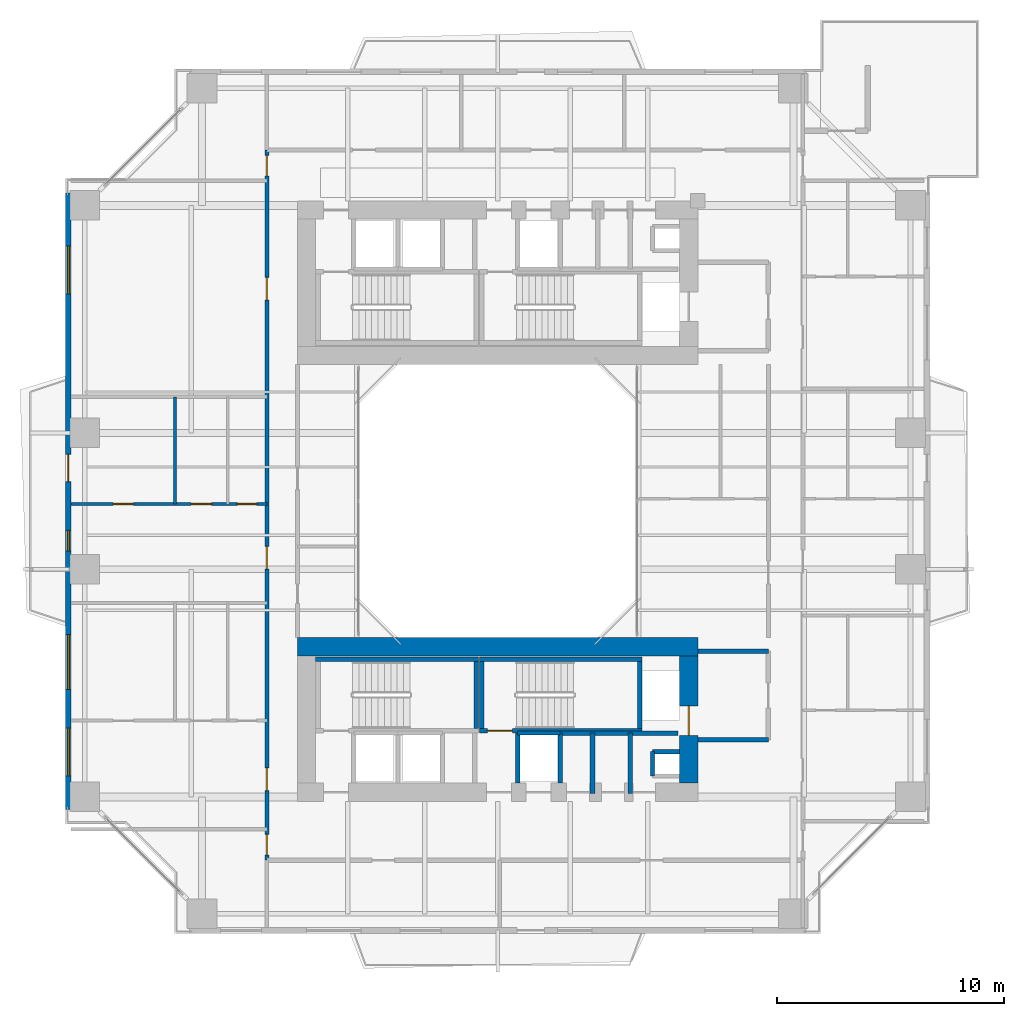
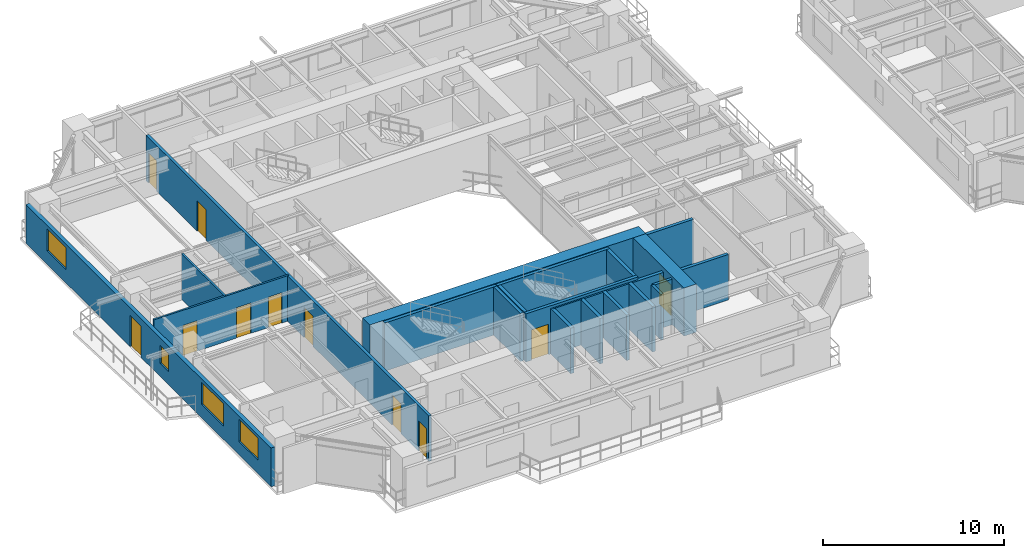
# One storey, part 13 of 23: 22 walls, 11 doors, 4 windows, 15 openings.
"""IFC4 building model written with IfcOpenShell, lengths in metres."""

from ifc_helpers import new_model, si_unit, direction, frame, frame_2d, origin, place, context, subcontext, project, spatial, rectangle, extrude, source, transform, mapped, material, layer, layer_set, type_object, element, fill, save


model = new_model("IFC4")

# Units and contexts
model_context = context("Model", 3, precision=1e-05, world=origin(), true_north=direction((0.0, 1.0)))
body_context = subcontext(model_context, "Body", "Model", "MODEL_VIEW")
ifc_project = project(units=[si_unit("LENGTHUNIT", "METRE"), si_unit("AREAUNIT", "SQUARE_METRE"), si_unit("VOLUMEUNIT", "CUBIC_METRE"), si_unit("PLANEANGLEUNIT", "RADIAN"), si_unit("MASSUNIT", "GRAM", prefix="KILO"), si_unit("THERMODYNAMICTEMPERATUREUNIT", "KELVIN"), si_unit("POWERUNIT", "WATT")], contexts=[model_context])

# Site, building, storey
site_placement = place(None, origin())
site = spatial("IfcSite", under=ifc_project, at=site_placement, CompositionType="ELEMENT")
building_placement = place(site_placement, origin())
building = spatial("IfcBuilding", under=site, at=building_placement, Name="Qiaomeng Ring Towers", CompositionType="ELEMENT")
storey_placement = place(building_placement, frame((0.0, 0.0, 32.75)))
storey = spatial("IfcBuildingStorey", under=building, at=storey_placement, Name="L08", CompositionType="ELEMENT", Elevation=32.75)

# Wall, openings, windows, door
ifc_material_1 = material(Name="Precast concrete C40", Category="concrete")
ifc_layer_1 = layer(ifc_material_1, 0.25, Name="Precast concrete C40")
ifc_layer_set_1 = layer_set([ifc_layer_1], Name="Precast concrete C40")
wall_type_1 = type_object("IfcWallType", Name="ARC-WL-EW1", PredefinedType="STANDARD", material=ifc_layer_set_1)
wall_1_placement = place(storey_placement, frame((0.125, 9.449951171875, 0.0), z_axis=(0.0, 0.0, 1.0), x_axis=(0.0, 1.0, 0.0)))
wall_1 = element("IfcWall", 1, at=wall_1_placement, inside=storey, type_object=wall_type_1, Name="L08 Tower 1 W Exterior Wall", PredefinedType="STANDARD", context=body_context, shape_type="SweptSolid", body=[
    extrude(rectangle(XDim=27.10009765625, YDim=0.25, at=frame_2d((13.550048828125, 0.0))), origin(), (0.0, 0.0, 1.0), 2.610107421875),
])
opening_1_placement = place(wall_1_placement, frame((14.39990234375, 0.0, 0.0)))
opening_1 = element("IfcOpeningElement", 2, at=opening_1_placement, cuts=wall_1, Name="Opening BD1", PredefinedType="OPENING", context=body_context, shape_type="SweptSolid", body=[
    extrude(rectangle(XDim=1.199951171875, YDim=2.10009765625, at=frame_2d((0.60009765625, 1.050048828125))), frame((0.0, 0.135009765625, 0.0), z_axis=(0.0, -1.0, 0.0), x_axis=(1.0, 0.0, 0.0)), (0.0, 0.0, 1.0), 0.27001953125),
])
opening_2_placement = place(wall_1_placement, frame((1.472412109375, 0.0, 0.89990234375)))
opening_2 = element("IfcOpeningElement", 3, at=opening_2_placement, cuts=wall_1, Name="Opening WN4", PredefinedType="OPENING", context=body_context, shape_type="SweptSolid", body=[
    extrude(rectangle(XDim=2.10009765625, YDim=1.5, at=frame_2d((1.050048828125, 0.75))), frame((0.0, 0.135009765625, 0.0), z_axis=(0.0, -1.0, 0.0), x_axis=(1.0, 0.0, 0.0)), (0.0, 0.0, 1.0), 0.27001953125),
])
opening_3_placement = place(wall_1_placement, frame((22.6630859375, 0.0, 0.89990234375)))
opening_3 = element("IfcOpeningElement", 4, at=opening_3_placement, cuts=wall_1, Name="Opening WN4", PredefinedType="OPENING", context=body_context, shape_type="SweptSolid", body=[
    extrude(rectangle(XDim=2.10009765625, YDim=1.47998046875, at=frame_2d((1.050048828125, 0.739990234375))), frame((0.0, 0.135009765625, 0.0), z_axis=(0.0, -1.0, 0.0), x_axis=(1.0, 0.0, 0.0)), (0.0, 0.0, 1.0), 0.27001953125),
])
opening_4_placement = place(wall_1_placement, frame((5.277587890625, 0.0, 0.89990234375)))
opening_4 = element("IfcOpeningElement", 5, at=opening_4_placement, cuts=wall_1, Name="Opening WN6", PredefinedType="OPENING", context=body_context, shape_type="SweptSolid", body=[
    extrude(rectangle(XDim=2.39990234375, YDim=1.5, at=frame_2d((1.199951171875, 0.75))), frame((0.0, 0.135009765625, 0.0), z_axis=(0.0, -1.0, 0.0), x_axis=(1.0, 0.0, 0.0)), (0.0, 0.0, 1.0), 0.27001953125),
])
opening_5_placement = place(wall_1_placement, frame((11.364990234375, 0.0, 0.89990234375)))
opening_5 = element("IfcOpeningElement", 6, at=opening_5_placement, cuts=wall_1, Name="Opening WN5", PredefinedType="OPENING", context=body_context, shape_type="SweptSolid", body=[
    extrude(rectangle(XDim=0.89990234375, YDim=1.199951171875, at=frame_2d((0.449951171875, 0.60009765625))), frame((0.0, 0.135009765625, 0.0), z_axis=(0.0, -1.0, 0.0), x_axis=(1.0, 0.0, 0.0)), (0.0, 0.0, 1.0), 0.27001953125),
])
ifc_material_2 = material(Name="Low-E dark-grey laminated double glazing", Category="glass")
window_type_1 = type_object("IfcWindowType", Name="ARC-WN-4", PartitioningType="TRIPLE_PANEL_VERTICAL", PredefinedType="WINDOW", material=ifc_material_2)
shared_shape_1 = source(origin(), body_context, "Body", "SweptSolid", [
    extrude(rectangle(XDim=2.10009765625, YDim=1.47998046875, at=frame_2d((1.050048828125, 0.739990234375))), frame((0.0, 0.030029296875, 0.0), z_axis=(0.0, -1.0, 0.0), x_axis=(1.0, 0.0, 0.0)), (0.0, 0.0, 1.0), 0.06005859375),
])
window_1_placement = place(opening_3_placement, origin())
window_1 = element("IfcWindow", 7, at=window_1_placement, inside=storey, type_object=window_type_1, Name="L08 Exterior Window WN4", OverallHeight=1.47998046875, OverallWidth=2.10009765625, PartitioningType="TRIPLE_PANEL_VERTICAL", PredefinedType="WINDOW", context=body_context, shape_type="MappedRepresentation", body=[
    mapped(shared_shape_1, transform((0.0, 0.0, 0.0), x_axis=(1.0, 0.0, 0.0), y_axis=(0.0, 1.0, 0.0), z_axis=(0.0, 0.0, 1.0), scale=1.0)),
])
fill(opening_3, window_1)
shared_shape_2 = source(origin(), body_context, "Body", "SweptSolid", [
    extrude(rectangle(XDim=2.10009765625, YDim=1.5, at=frame_2d((1.050048828125, 0.75))), frame((0.0, 0.030029296875, 0.0), z_axis=(0.0, -1.0, 0.0), x_axis=(1.0, 0.0, 0.0)), (0.0, 0.0, 1.0), 0.06005859375),
])
window_2_placement = place(opening_2_placement, origin())
window_2 = element("IfcWindow", 8, at=window_2_placement, inside=storey, type_object=window_type_1, Name="L08 Exterior Window WN6", OverallHeight=1.5, OverallWidth=2.10009765625, PartitioningType="TRIPLE_PANEL_VERTICAL", PredefinedType="WINDOW", context=body_context, shape_type="MappedRepresentation", body=[
    mapped(shared_shape_2, transform((0.0, 0.0, 0.0), x_axis=(1.0, 0.0, 0.0), y_axis=(0.0, 1.0, 0.0), z_axis=(0.0, 0.0, 1.0), scale=1.0)),
])
fill(opening_2, window_2)
door_type_1 = type_object("IfcDoorType", Name="ARC-DR-BD1", OperationType="NOTDEFINED", PredefinedType="DOOR", material=ifc_material_2)
shared_shape_3 = source(origin(), body_context, "Body", "SweptSolid", [
    extrude(rectangle(XDim=1.199951171875, YDim=2.10009765625, at=frame_2d((0.60009765625, 1.050048828125))), frame((0.0, 0.02490234375, 0.0), z_axis=(0.0, -1.0, 0.0), x_axis=(1.0, 0.0, 0.0)), (0.0, 0.0, 1.0), 0.050048828125),
])
door_1_placement = place(opening_1_placement, frame((1.199951171875, 0.0, 0.0), z_axis=(0.0, 0.0, 1.0), x_axis=(-1.0, 0.0, 0.0)))
door_1 = element("IfcDoor", 9, at=door_1_placement, inside=storey, type_object=door_type_1, Name="L08 W Balcony Glazed Door", OperationType="SINGLE_SWING_LEFT", OverallHeight=2.10009765625, OverallWidth=1.199951171875, PredefinedType="DOOR", context=body_context, shape_type="MappedRepresentation", body=[
    mapped(shared_shape_3, transform((0.0, 0.0, 0.0), x_axis=(1.0, 0.0, 0.0), y_axis=(0.0, 1.0, 0.0), z_axis=(0.0, 0.0, 1.0), scale=1.0)),
])
fill(opening_1, door_1)
window_type_2 = type_object("IfcWindowType", Name="ARC-WN-6", PartitioningType="TRIPLE_PANEL_VERTICAL", PredefinedType="WINDOW", material=ifc_material_2)
shared_shape_4 = source(origin(), body_context, "Body", "SweptSolid", [
    extrude(rectangle(XDim=2.39990234375, YDim=1.5, at=frame_2d((1.199951171875, 0.75))), frame((0.0, 0.030029296875, 0.0), z_axis=(0.0, -1.0, 0.0), x_axis=(1.0, 0.0, 0.0)), (0.0, 0.0, 1.0), 0.06005859375),
])
window_3_placement = place(opening_4_placement, origin())
window_3 = element("IfcWindow", 10, at=window_3_placement, inside=storey, type_object=window_type_2, Name="L08 Exterior Window WN6", OverallHeight=1.5, OverallWidth=2.39990234375, PartitioningType="TRIPLE_PANEL_VERTICAL", PredefinedType="WINDOW", context=body_context, shape_type="MappedRepresentation", body=[
    mapped(shared_shape_4, transform((0.0, 0.0, 0.0), x_axis=(1.0, 0.0, 0.0), y_axis=(0.0, 1.0, 0.0), z_axis=(0.0, 0.0, 1.0), scale=1.0)),
])
fill(opening_4, window_3)
window_type_3 = type_object("IfcWindowType", Name="ARC-WN-5", PartitioningType="SINGLE_PANEL", PredefinedType="WINDOW", material=ifc_material_2)
shared_shape_5 = source(origin(), body_context, "Body", "SweptSolid", [
    extrude(rectangle(XDim=0.89990234375, YDim=1.199951171875, at=frame_2d((0.449951171875, 0.60009765625))), frame((0.0, 0.030029296875, 0.0), z_axis=(0.0, -1.0, 0.0), x_axis=(1.0, 0.0, 0.0)), (0.0, 0.0, 1.0), 0.06005859375),
])
window_4_placement = place(opening_5_placement, origin())
window_4 = element("IfcWindow", 11, at=window_4_placement, inside=storey, type_object=window_type_3, Name="L08 Exterior Window WN5", OverallHeight=1.199951171875, OverallWidth=0.89990234375, PartitioningType="SINGLE_PANEL", PredefinedType="WINDOW", context=body_context, shape_type="MappedRepresentation", body=[
    mapped(shared_shape_5, transform((0.0, 0.0, 0.0), x_axis=(1.0, 0.0, 0.0), y_axis=(0.0, 1.0, 0.0), z_axis=(0.0, 0.0, 1.0), scale=1.0)),
])
fill(opening_5, window_4)

# Walls
ifc_material_3 = material(Name="Autoclaved aerated concrete block", Category="concrete")
ifc_layer_2 = layer(ifc_material_3, 0.199951171875, Name="Autoclaved aerated concrete block")
ifc_layer_set_2 = layer_set([ifc_layer_2], Name="Autoclaved aerated concrete block")
wall_type_2 = type_object("IfcWallType", Name="ARC-WL-PW1", PredefinedType="PARTITIONING", material=ifc_layer_set_2)
for number, where, z_axis, x_axis, name in (
    (12, (27.800048828125, 16.39990234375, 0.0), (0.0, 0.0, 1.0), (1.0, 0.0, 0.0), "L08 Interior Wall PW1"),
    (13, (27.800048828125, 12.5, 0.0), (0.0, 0.0, 1.0), (1.0, 0.0, 0.0), "L08 Interior Wall PW1"),
):
    element("IfcWall", number, at=place(storey_placement, frame(where, z_axis=z_axis, x_axis=x_axis)), inside=storey, type_object=wall_type_2, Name=name, PredefinedType="PARTITIONING", context=body_context, shape_type="SweptSolid", body=[
        extrude(rectangle(XDim=3.099853515625, YDim=0.199951171875, at=frame_2d((1.5498046875, 0.0))), origin(), (0.0, 0.0, 1.0), 3.070068359375),
    ])
wall_2_placement = place(storey_placement, frame((19.8798828125, 10.60009765625, 0.0), z_axis=(0.0, 0.0, 1.0), x_axis=(0.0, 1.0, 0.0)))
element("IfcWall", 14, at=wall_2_placement, inside=storey, type_object=wall_type_2, Name="L08 Interior Wall PW1", PredefinedType="PARTITIONING", context=body_context, shape_type="SweptSolid", body=[
    extrude(rectangle(XDim=2.2099609375, YDim=0.199951171875, at=frame_2d((1.10498046875, 0.0))), origin(), (0.0, 0.0, 1.0), 3.070068359375),
])
wall_3_placement = place(storey_placement, frame((24.820068359375, 10.14990234375, 0.0), z_axis=(0.0, 0.0, 1.0), x_axis=(0.0, 1.0, 0.0)))
element("IfcWall", 15, at=wall_3_placement, inside=storey, type_object=wall_type_2, Name="L08 Interior Wall PW1", PredefinedType="PARTITIONING", context=body_context, shape_type="SweptSolid", body=[
    extrude(rectangle(XDim=2.650146484375, YDim=0.199951171875, at=frame_2d((1.3251953125, 0.0))), origin(), (0.0, 0.0, 1.0), 3.070068359375),
])
wall_4_placement = place(storey_placement, frame((21.75, 10.60009765625, 0.0), z_axis=(0.0, 0.0, 1.0), x_axis=(0.0, 1.0, 0.0)))
element("IfcWall", 16, at=wall_4_placement, inside=storey, type_object=wall_type_2, Name="L08 Interior Wall PW1", PredefinedType="PARTITIONING", context=body_context, shape_type="SweptSolid", body=[
    extrude(rectangle(XDim=2.199951171875, YDim=0.199951171875, at=frame_2d((1.10009765625, 0.0))), origin(), (0.0, 0.0, 1.0), 3.070068359375),
])
wall_5_placement = place(storey_placement, frame((23.169921875, 10.14990234375, 0.0), z_axis=(0.0, 0.0, 1.0), x_axis=(0.0, 1.0, 0.0)))
element("IfcWall", 17, at=wall_5_placement, inside=storey, type_object=wall_type_2, Name="L08 Interior Wall PW1", PredefinedType="PARTITIONING", context=body_context, shape_type="SweptSolid", body=[
    extrude(rectangle(XDim=2.650146484375, YDim=0.199951171875, at=frame_2d((1.3251953125, 0.0))), origin(), (0.0, 0.0, 1.0), 3.070068359375),
])
wall_6_placement = place(storey_placement, frame((21.75, 12.800048828125, 0.0), z_axis=(0.0, 0.0, 1.0), x_axis=(1.0, 0.0, 0.0)))
element("IfcWall", 18, at=wall_6_placement, inside=storey, type_object=wall_type_2, Name="L08 Interior Wall PW1", PredefinedType="PARTITIONING", context=body_context, shape_type="SweptSolid", body=[
    extrude(rectangle(XDim=5.169921875, YDim=0.199951171875, at=frame_2d((2.5849609375, 0.0))), origin(), (0.0, 0.0, 1.0), 3.070068359375),
])

# Wall, openings, doors
ifc_layer_3 = layer(ifc_material_3, 0.179931640625, Name="Autoclaved aerated concrete block")
ifc_layer_set_3 = layer_set([ifc_layer_3], Name="Autoclaved aerated concrete block")
wall_type_3 = type_object("IfcWallType", Name="ARC-WL-PW2", PredefinedType="PARTITIONING", material=ifc_layer_set_3)
wall_7_placement = place(storey_placement, frame((8.85009765625, 7.2099609375, 0.0), z_axis=(0.0, 0.0, 1.0), x_axis=(0.0, 1.0, 0.0)))
wall_7 = element("IfcWall", 19, at=wall_7_placement, inside=storey, type_object=wall_type_3, Name="L08 Interior Wall PW2", PredefinedType="PARTITIONING", context=body_context, shape_type="SweptSolid", body=[
    extrude(rectangle(XDim=31.22998046875, YDim=0.179931640625, at=frame_2d((15.614990234375, 0.0))), origin(), (0.0, 0.0, 1.0), 3.070068359375),
])
opening_6_placement = place(wall_7_placement, frame((30.090087890625, 0.0, 0.0)))
opening_6 = element("IfcOpeningElement", 20, at=opening_6_placement, cuts=wall_7, Name="Opening ID1", PredefinedType="OPENING", context=body_context, shape_type="SweptSolid", body=[
    extrude(rectangle(XDim=0.89990234375, YDim=2.050048828125, at=frame_2d((0.449951171875, 1.02490234375))), frame((0.0, 0.099853515625, 0.0), z_axis=(0.0, -1.0, 0.0), x_axis=(1.0, 0.0, 0.0)), (0.0, 0.0, 1.0), 0.199951171875),
])
opening_7_placement = place(wall_7_placement, frame((0.239990234375, 0.0, 0.0)))
opening_7 = element("IfcOpeningElement", 21, at=opening_7_placement, cuts=wall_7, Name="Opening ID1", PredefinedType="OPENING", context=body_context, shape_type="SweptSolid", body=[
    extrude(rectangle(XDim=0.89990234375, YDim=2.050048828125, at=frame_2d((0.449951171875, 1.02490234375))), frame((0.0, 0.099853515625, 0.0), z_axis=(0.0, -1.0, 0.0), x_axis=(1.0, 0.0, 0.0)), (0.0, 0.0, 1.0), 0.199951171875),
])
opening_8_placement = place(wall_7_placement, frame((3.06005859375, 0.0, 0.0)))
opening_8 = element("IfcOpeningElement", 22, at=opening_8_placement, cuts=wall_7, Name="Opening FD4", PredefinedType="OPENING", context=body_context, shape_type="SweptSolid", body=[
    extrude(rectangle(XDim=1.0, YDim=2.050048828125, at=frame_2d((0.5, 1.02490234375))), frame((0.0, 0.099853515625, 0.0), z_axis=(0.0, -1.0, 0.0), x_axis=(1.0, 0.0, 0.0)), (0.0, 0.0, 1.0), 0.199951171875),
])
opening_9_placement = place(wall_7_placement, frame((12.794921875, 0.0, 0.0)))
opening_9 = element("IfcOpeningElement", 23, at=opening_9_placement, cuts=wall_7, Name="Opening FD4", PredefinedType="OPENING", context=body_context, shape_type="SweptSolid", body=[
    extrude(rectangle(XDim=1.0, YDim=2.050048828125, at=frame_2d((0.5, 1.02490234375))), frame((0.0, 0.099853515625, 0.0), z_axis=(0.0, -1.0, 0.0), x_axis=(1.0, 0.0, 0.0)), (0.0, 0.0, 1.0), 0.199951171875),
])
opening_10_placement = place(wall_7_placement, frame((24.6201171875, 0.0, 0.0)))
opening_10 = element("IfcOpeningElement", 24, at=opening_10_placement, cuts=wall_7, Name="Opening FD4", PredefinedType="OPENING", context=body_context, shape_type="SweptSolid", body=[
    extrude(rectangle(XDim=1.0, YDim=2.050048828125, at=frame_2d((0.5, 1.02490234375))), frame((0.0, 0.099853515625, 0.0), z_axis=(0.0, -1.0, 0.0), x_axis=(1.0, 0.0, 0.0)), (0.0, 0.0, 1.0), 0.199951171875),
])
ifc_material_4 = material(Name="Engineered fire-rated oak timber", Category="wood")
door_type_2 = type_object("IfcDoorType", Name="ARC-DR-FD4", OperationType="NOTDEFINED", PredefinedType="DOOR", material=ifc_material_4)
shared_shape_6 = source(origin(), body_context, "Body", "SweptSolid", [
    extrude(rectangle(XDim=1.0, YDim=2.050048828125, at=frame_2d((0.5, 1.02490234375))), frame((0.0, 0.02490234375, 0.0), z_axis=(0.0, -1.0, 0.0), x_axis=(1.0, 0.0, 0.0)), (0.0, 0.0, 1.0), 0.050048828125),
])
door_2_placement = place(opening_8_placement, origin())
door_2 = element("IfcDoor", 25, at=door_2_placement, inside=storey, type_object=door_type_2, Name="L08 Door FD4", OperationType="SINGLE_SWING_RIGHT", OverallHeight=2.050048828125, OverallWidth=1.0, PredefinedType="DOOR", context=body_context, shape_type="MappedRepresentation", body=[
    mapped(shared_shape_6, transform((0.0, 0.0, 0.0), x_axis=(1.0, 0.0, 0.0), y_axis=(0.0, 1.0, 0.0), z_axis=(0.0, 0.0, 1.0), scale=1.0)),
])
fill(opening_8, door_2)
door_3_placement = place(opening_9_placement, origin())
door_3 = element("IfcDoor", 26, at=door_3_placement, inside=storey, type_object=door_type_2, Name="L08 Door FD4", OperationType="SINGLE_SWING_RIGHT", OverallHeight=2.050048828125, OverallWidth=1.0, PredefinedType="DOOR", context=body_context, shape_type="MappedRepresentation", body=[
    mapped(shared_shape_6, transform((0.0, 0.0, 0.0), x_axis=(1.0, 0.0, 0.0), y_axis=(0.0, 1.0, 0.0), z_axis=(0.0, 0.0, 1.0), scale=1.0)),
])
fill(opening_9, door_3)
door_4_placement = place(opening_10_placement, origin())
door_4 = element("IfcDoor", 27, at=door_4_placement, inside=storey, type_object=door_type_2, Name="L08 Door FD4", OperationType="SINGLE_SWING_LEFT", OverallHeight=2.050048828125, OverallWidth=1.0, PredefinedType="DOOR", context=body_context, shape_type="MappedRepresentation", body=[
    mapped(shared_shape_6, transform((0.0, 0.0, 0.0), x_axis=(1.0, 0.0, 0.0), y_axis=(0.0, 1.0, 0.0), z_axis=(0.0, 0.0, 1.0), scale=1.0)),
])
fill(opening_10, door_4)
ifc_material_5 = material(Name="Engineered oak timber", Category="wood")
door_type_3 = type_object("IfcDoorType", Name="ARC-DR-ID1", OperationType="NOTDEFINED", PredefinedType="DOOR", material=ifc_material_5)
shared_shape_7 = source(origin(), body_context, "Body", "SweptSolid", [
    extrude(rectangle(XDim=0.89990234375, YDim=2.050048828125, at=frame_2d((0.449951171875, 1.02490234375))), frame((0.0, 0.02490234375, 0.0), z_axis=(0.0, -1.0, 0.0), x_axis=(1.0, 0.0, 0.0)), (0.0, 0.0, 1.0), 0.050048828125),
])
door_5_placement = place(opening_6_placement, origin())
door_5 = element("IfcDoor", 28, at=door_5_placement, inside=storey, type_object=door_type_3, Name="L08 Door ID1", OperationType="SINGLE_SWING_LEFT", OverallHeight=2.050048828125, OverallWidth=0.89990234375, PredefinedType="DOOR", context=body_context, shape_type="MappedRepresentation", body=[
    mapped(shared_shape_7, transform((0.0, 0.0, 0.0), x_axis=(1.0, 0.0, 0.0), y_axis=(0.0, 1.0, 0.0), z_axis=(0.0, 0.0, 1.0), scale=1.0)),
])
fill(opening_6, door_5)
door_6_placement = place(opening_7_placement, origin())
door_6 = element("IfcDoor", 29, at=door_6_placement, inside=storey, type_object=door_type_3, Name="L08 Door ID1", OperationType="SINGLE_SWING_RIGHT", OverallHeight=2.050048828125, OverallWidth=0.89990234375, PredefinedType="DOOR", context=body_context, shape_type="MappedRepresentation", body=[
    mapped(shared_shape_7, transform((0.0, 0.0, 0.0), x_axis=(1.0, 0.0, 0.0), y_axis=(0.0, 1.0, 0.0), z_axis=(0.0, 0.0, 1.0), scale=1.0)),
])
fill(opening_7, door_6)

ifc_material_6 = material(Name="Moisture-resistant gypsum steel-stud partition", Category="steel")
ifc_layer_4 = layer(ifc_material_6, 0.1201171875, Name="Moisture-resistant gypsum steel-stud partition")
ifc_layer_set_4 = layer_set([ifc_layer_4], Name="Moisture-resistant gypsum steel-stud partition")
wall_type_4 = type_object("IfcWallType", Name="ARC-WL-PW4", PredefinedType="PLUMBINGWALL", material=ifc_layer_set_4)
wall_8_placement = place(storey_placement, frame((0.25, 22.8701171875, 0.0), z_axis=(0.0, 0.0, 1.0), x_axis=(1.0, 0.0, 0.0)))
wall_8 = element("IfcWall", 30, at=wall_8_placement, inside=storey, type_object=wall_type_4, Name="L08 Interior Wall PW4", PredefinedType="PLUMBINGWALL", context=body_context, shape_type="SweptSolid", body=[
    extrude(rectangle(XDim=8.60009765625, YDim=0.1201171875, at=frame_2d((4.300048828125, 0.0))), origin(), (0.0, 0.0, 1.0), 3.070068359375),
])
opening_11_placement = place(wall_8_placement, frame((1.840087890625, 0.0, 0.0)))
opening_11 = element("IfcOpeningElement", 31, at=opening_11_placement, cuts=wall_8, Name="Opening ID1", PredefinedType="OPENING", context=body_context, shape_type="SweptSolid", body=[
    extrude(rectangle(XDim=0.89990234375, YDim=2.050048828125, at=frame_2d((0.449951171875, 1.02490234375))), frame((0.0, 0.070068359375, 0.0), z_axis=(0.0, -1.0, 0.0), x_axis=(1.0, 0.0, 0.0)), (0.0, 0.0, 1.0), 0.14013671875),
])
opening_12_placement = place(wall_8_placement, frame((5.27001953125, 0.0, 0.0)))
opening_12 = element("IfcOpeningElement", 32, at=opening_12_placement, cuts=wall_8, Name="Opening ID1", PredefinedType="OPENING", context=body_context, shape_type="SweptSolid", body=[
    extrude(rectangle(XDim=0.89990234375, YDim=2.050048828125, at=frame_2d((0.449951171875, 1.02490234375))), frame((0.0, 0.070068359375, 0.0), z_axis=(0.0, -1.0, 0.0), x_axis=(1.0, 0.0, 0.0)), (0.0, 0.0, 1.0), 0.14013671875),
])
opening_13_placement = place(wall_8_placement, frame((7.304931640625, 0.0, 0.0)))
opening_13 = element("IfcOpeningElement", 33, at=opening_13_placement, cuts=wall_8, Name="Opening ID2", PredefinedType="OPENING", context=body_context, shape_type="SweptSolid", body=[
    extrude(rectangle(XDim=0.85009765625, YDim=2.050048828125, at=frame_2d((0.425048828125, 1.02490234375))), frame((0.0, 0.070068359375, 0.0), z_axis=(0.0, -1.0, 0.0), x_axis=(1.0, 0.0, 0.0)), (0.0, 0.0, 1.0), 0.14013671875),
])
ifc_material_7 = material(Name="Moisture-resistant engineered timber", Category="wood")
door_type_4 = type_object("IfcDoorType", Name="ARC-DR-ID2", OperationType="NOTDEFINED", PredefinedType="DOOR", material=ifc_material_7)
shared_shape_8 = source(origin(), body_context, "Body", "SweptSolid", [
    extrude(rectangle(XDim=0.85009765625, YDim=2.050048828125, at=frame_2d((0.425048828125, 1.02490234375))), frame((0.0, 0.02490234375, 0.0), z_axis=(0.0, -1.0, 0.0), x_axis=(1.0, 0.0, 0.0)), (0.0, 0.0, 1.0), 0.050048828125),
])
door_7_placement = place(opening_13_placement, origin())
door_7 = element("IfcDoor", 34, at=door_7_placement, inside=storey, type_object=door_type_4, Name="L08 Door ID2", OperationType="SINGLE_SWING_LEFT", OverallHeight=2.050048828125, OverallWidth=0.85009765625, PredefinedType="DOOR", context=body_context, shape_type="MappedRepresentation", body=[
    mapped(shared_shape_8, transform((0.0, 0.0, 0.0), x_axis=(1.0, 0.0, 0.0), y_axis=(0.0, 1.0, 0.0), z_axis=(0.0, 0.0, 1.0), scale=1.0)),
])
fill(opening_13, door_7)
door_8_placement = place(opening_11_placement, origin())
door_8 = element("IfcDoor", 35, at=door_8_placement, inside=storey, type_object=door_type_3, Name="L08 Door ID1", OperationType="SINGLE_SWING_LEFT", OverallHeight=2.050048828125, OverallWidth=0.89990234375, PredefinedType="DOOR", context=body_context, shape_type="MappedRepresentation", body=[
    mapped(shared_shape_7, transform((0.0, 0.0, 0.0), x_axis=(1.0, 0.0, 0.0), y_axis=(0.0, 1.0, 0.0), z_axis=(0.0, 0.0, 1.0), scale=1.0)),
])
fill(opening_11, door_8)
door_9_placement = place(opening_12_placement, origin())
door_9 = element("IfcDoor", 36, at=door_9_placement, inside=storey, type_object=door_type_3, Name="L08 Door ID1", OperationType="SINGLE_SWING_RIGHT", OverallHeight=2.050048828125, OverallWidth=0.89990234375, PredefinedType="DOOR", context=body_context, shape_type="MappedRepresentation", body=[
    mapped(shared_shape_7, transform((0.0, 0.0, 0.0), x_axis=(1.0, 0.0, 0.0), y_axis=(0.0, 1.0, 0.0), z_axis=(0.0, 0.0, 1.0), scale=1.0)),
])
fill(opening_12, door_9)

# Walls
wall_9_placement = place(storey_placement, frame((4.81005859375, 22.8701171875, 0.0), z_axis=(0.0, 0.0, 1.0), x_axis=(0.0, 1.0, 0.0)))
element("IfcWall", 37, at=wall_9_placement, inside=storey, type_object=wall_type_4, Name="L08 Interior Wall PW4", PredefinedType="PLUMBINGWALL", context=body_context, shape_type="SweptSolid", body=[
    extrude(rectangle(XDim=4.7099609375, YDim=0.1201171875, at=frame_2d((2.35498046875, 0.0))), origin(), (0.0, 0.0, 1.0), 3.070068359375),
])
ifc_material_8 = material(Name="Concrete C40", Category="concrete")
ifc_layer_5 = layer(ifc_material_8, 0.199951171875, Name="Concrete C40")
ifc_layer_set_5 = layer_set([ifc_layer_5], Name="Concrete C40")
wall_type_5 = type_object("IfcWallType", Name="STR-WL-STSHAFT", PredefinedType="SHEAR", material=ifc_layer_set_5)
wall_10_placement = place(storey_placement, frame((25.800048828125, 10.919921875, 0.0), z_axis=(0.0, 0.0, 1.0), x_axis=(0.0, 1.0, 0.0)))
element("IfcWall", 38, at=wall_10_placement, inside=storey, type_object=wall_type_5, Name="L08 Riser RSR1 West Shaft Wall S", PredefinedType="SHEAR", context=body_context, shape_type="SweptSolid", body=[
    extrude(rectangle(XDim=1.06005859375, YDim=0.179931640625, at=frame_2d((0.530029296875, 0.0))), origin(), (0.0, 0.0, 1.0), 3.070068359375),
])
wall_11_placement = place(storey_placement, frame((25.800048828125, 11.97998046875, 0.0), z_axis=(0.0, 0.0, 1.0), x_axis=(1.0, 0.0, 0.0)))
element("IfcWall", 39, at=wall_11_placement, inside=storey, type_object=wall_type_5, Name="L08 Riser RSR1 North Shaft Wall S", PredefinedType="SHEAR", context=body_context, shape_type="SweptSolid", body=[
    extrude(rectangle(XDim=1.199951171875, YDim=0.179931640625, at=frame_2d((0.60009765625, 0.0))), origin(), (0.0, 0.0, 1.0), 3.070068359375),
])
wall_12_placement = place(storey_placement, frame((19.8798828125, 12.800048828125, 0.0), z_axis=(0.0, 0.0, 1.0), x_axis=(1.0, 0.0, 0.0)))
element("IfcWall", 40, at=wall_12_placement, inside=storey, type_object=wall_type_5, Name="L08 Lift LP2 Shaft Back Wall", PredefinedType="SHEAR", context=body_context, shape_type="SweptSolid", body=[
    extrude(rectangle(XDim=1.8701171875, YDim=0.179931640625, at=frame_2d((0.93505859375, 0.0))), origin(), (0.0, 0.0, 1.0), 3.070068359375),
])
wall_13_placement = place(storey_placement, frame((11.0, 16.050048828125, 0.0), z_axis=(0.0, 0.0, 1.0), x_axis=(1.0, 0.0, 0.0)))
element("IfcWall", 41, at=wall_13_placement, inside=storey, type_object=wall_type_5, Name="L08 Stair ST3 North Shaft Shear Wall", PredefinedType="SHEAR", context=body_context, shape_type="SweptSolid", body=[
    extrude(rectangle(XDim=7.14990234375, YDim=0.199951171875, at=frame_2d((3.574951171875, 0.0))), origin(), (0.0, 0.0, 1.0), 3.25),
])
wall_14_placement = place(storey_placement, frame((18.050048828125, 13.010009765625, 0.0), z_axis=(0.0, 0.0, 1.0), x_axis=(0.0, 1.0, 0.0)))
element("IfcWall", 42, at=wall_14_placement, inside=storey, type_object=wall_type_5, Name="L08 Stair ST3 East Shaft Shear Wall", PredefinedType="SHEAR", context=body_context, shape_type="SweptSolid", body=[
    extrude(rectangle(XDim=2.93994140625, YDim=0.199951171875, at=frame_2d((1.469970703125, 0.0))), origin(), (0.0, 0.0, 1.0), 3.25),
])

# Wall, opening, door
wall_15_placement = place(storey_placement, frame((18.199951171875, 12.909912109375, 0.0), z_axis=(0.0, 0.0, 1.0), x_axis=(1.0, 0.0, 0.0)))
wall_15 = element("IfcWall", 43, at=wall_15_placement, inside=storey, type_object=wall_type_5, Name="L08 Stair ST4 South Shaft Shear Wall", PredefinedType="SHEAR", context=body_context, shape_type="SweptSolid", body=[
    extrude(rectangle(XDim=7.150146484375, YDim=0.199951171875, at=frame_2d((3.5751953125, 0.0))), origin(), (0.0, 0.0, 1.0), 3.25),
])
opening_14_placement = place(wall_15_placement, frame((0.35009765625, 0.0, 0.0)))
opening_14 = element("IfcOpeningElement", 44, at=opening_14_placement, cuts=wall_15, Name="Opening FD3", PredefinedType="OPENING", context=body_context, shape_type="SweptSolid", body=[
    extrude(rectangle(XDim=1.10009765625, YDim=2.050048828125, at=frame_2d((0.550048828125, 1.02490234375))), frame((0.0, 0.10986328125, 0.0), z_axis=(0.0, -1.0, 0.0), x_axis=(1.0, 0.0, 0.0)), (0.0, 0.0, 1.0), 0.219970703125),
])
ifc_material_9 = material(Name="Galvanised steel", Category="steel")
door_type_5 = type_object("IfcDoorType", Name="ARC-DR-FD3", OperationType="NOTDEFINED", PredefinedType="DOOR", material=ifc_material_9)
shared_shape_9 = source(origin(), body_context, "Body", "SweptSolid", [
    extrude(rectangle(XDim=1.10009765625, YDim=2.050048828125, at=frame_2d((0.550048828125, 1.02490234375))), frame((0.0, 0.02490234375, 0.0), z_axis=(0.0, -1.0, 0.0), x_axis=(1.0, 0.0, 0.0)), (0.0, 0.0, 1.0), 0.050048828125),
])
door_10_placement = place(opening_14_placement, frame((1.10009765625, 0.0, 0.0), z_axis=(0.0, 0.0, 1.0), x_axis=(-1.0, 0.0, 0.0)))
door_10 = element("IfcDoor", 45, at=door_10_placement, inside=storey, type_object=door_type_5, Name="L08 Stair ST4 Exit Door", OperationType="SINGLE_SWING_LEFT", OverallHeight=2.050048828125, OverallWidth=1.10009765625, PredefinedType="DOOR", context=body_context, shape_type="MappedRepresentation", body=[
    mapped(shared_shape_9, transform((0.0, 0.0, 0.0), x_axis=(1.0, 0.0, 0.0), y_axis=(0.0, 1.0, 0.0), z_axis=(0.0, 0.0, 1.0), scale=1.0)),
])
fill(opening_14, door_10)

# Walls
wall_16_placement = place(storey_placement, frame((18.199951171875, 16.050048828125, 0.0), z_axis=(0.0, 0.0, 1.0), x_axis=(1.0, 0.0, 0.0)))
element("IfcWall", 46, at=wall_16_placement, inside=storey, type_object=wall_type_5, Name="L08 Stair ST4 North Shaft Shear Wall", PredefinedType="SHEAR", context=body_context, shape_type="SweptSolid", body=[
    extrude(rectangle(XDim=7.150146484375, YDim=0.199951171875, at=frame_2d((3.5751953125, 0.0))), origin(), (0.0, 0.0, 1.0), 3.25),
])
for number, where, z_axis, x_axis, name in (
    (47, (18.300048828125, 13.010009765625, 0.0), (0.0, 0.0, 1.0), (0.0, 1.0, 0.0), "L08 Stair ST4 West Shaft Shear Wall"),
    (48, (25.25, 13.010009765625, 0.0), (0.0, 0.0, 1.0), (0.0, 1.0, 0.0), "L08 Stair ST4 East Shaft Shear Wall"),
):
    element("IfcWall", number, at=place(storey_placement, frame(where, z_axis=z_axis, x_axis=x_axis)), inside=storey, type_object=wall_type_5, Name=name, PredefinedType="SHEAR", context=body_context, shape_type="SweptSolid", body=[
        extrude(rectangle(XDim=2.93994140625, YDim=0.199951171875, at=frame_2d((1.469970703125, 0.0))), origin(), (0.0, 0.0, 1.0), 3.25),
    ])
ifc_material_10 = material(Name="Concrete C60", Category="concrete")
ifc_layer_6 = layer(ifc_material_10, 0.800048828125, Name="Concrete C60")
ifc_layer_set_6 = layer_set([ifc_layer_6], Name="Concrete C60")
wall_type_6 = type_object("IfcWallType", Name="STR-WL-SW1", PredefinedType="SHEAR", material=ifc_layer_set_6)
wall_17_placement = place(storey_placement, frame((10.199951171875, 16.60009765625, 0.0), z_axis=(0.0, 0.0, 1.0), x_axis=(1.0, 0.0, 0.0)))
element("IfcWall", 49, at=wall_17_placement, inside=storey, type_object=wall_type_6, Name="L08 T1SC north core shear wall", PredefinedType="SHEAR", context=body_context, shape_type="SweptSolid", body=[
    extrude(rectangle(XDim=17.60009765625, YDim=0.800048828125, at=frame_2d((8.800048828125, 0.0))), origin(), (0.0, 0.0, 1.0), 3.25),
])

# Wall, opening, door
wall_18_placement = place(storey_placement, frame((27.39990234375, 10.60009765625, 0.0), z_axis=(0.0, 0.0, 1.0), x_axis=(0.0, 1.0, 0.0)))
wall_18 = element("IfcWall", 50, at=wall_18_placement, inside=storey, type_object=wall_type_6, Name="L08 T1SC east core shear wall", PredefinedType="SHEAR", context=body_context, shape_type="SweptSolid", body=[
    extrude(rectangle(XDim=5.599853515625, YDim=0.800048828125, at=frame_2d((2.7998046875, 0.0))), origin(), (0.0, 0.0, 1.0), 3.25),
])
opening_15_placement = place(wall_18_placement, frame((2.10009765625, 0.0, 0.0)))
opening_15 = element("IfcOpeningElement", 51, at=opening_15_placement, cuts=wall_18, Name="Opening LD2", PredefinedType="OPENING", context=body_context, shape_type="SweptSolid", body=[
    extrude(rectangle(XDim=1.300048828125, YDim=2.050048828125, at=frame_2d((0.64990234375, 1.02490234375))), frame((0.0, 0.409912109375, 0.0), z_axis=(0.0, -1.0, 0.0), x_axis=(1.0, 0.0, 0.0)), (0.0, 0.0, 1.0), 0.820068359375),
])
ifc_material_11 = material(Name="Stainless steel 316", Category="steel")
door_type_6 = type_object("IfcDoorType", Name="ARC-DR-LD2", OperationType="NOTDEFINED", PredefinedType="DOOR", material=ifc_material_11)
shared_shape_10 = source(origin(), body_context, "Body", "SweptSolid", [
    extrude(rectangle(XDim=1.300048828125, YDim=2.050048828125, at=frame_2d((0.64990234375, 1.02490234375))), frame((0.0, 0.02490234375, 0.0), z_axis=(0.0, -1.0, 0.0), x_axis=(1.0, 0.0, 0.0)), (0.0, 0.0, 1.0), 0.050048828125),
])
door_11_placement = place(opening_15_placement, origin())
door_11 = element("IfcDoor", 52, at=door_11_placement, inside=storey, type_object=door_type_6, Name="L08 Firefighting Lift FL2 Landing Door", OperationType="SLIDING_TO_RIGHT", OverallHeight=2.050048828125, OverallWidth=1.300048828125, PredefinedType="DOOR", context=body_context, shape_type="MappedRepresentation", body=[
    mapped(shared_shape_10, transform((0.0, 0.0, 0.0), x_axis=(1.0, 0.0, 0.0), y_axis=(0.0, 1.0, 0.0), z_axis=(0.0, 0.0, 1.0), scale=1.0)),
])
fill(opening_15, door_11)

save(model, "model.ifc")
